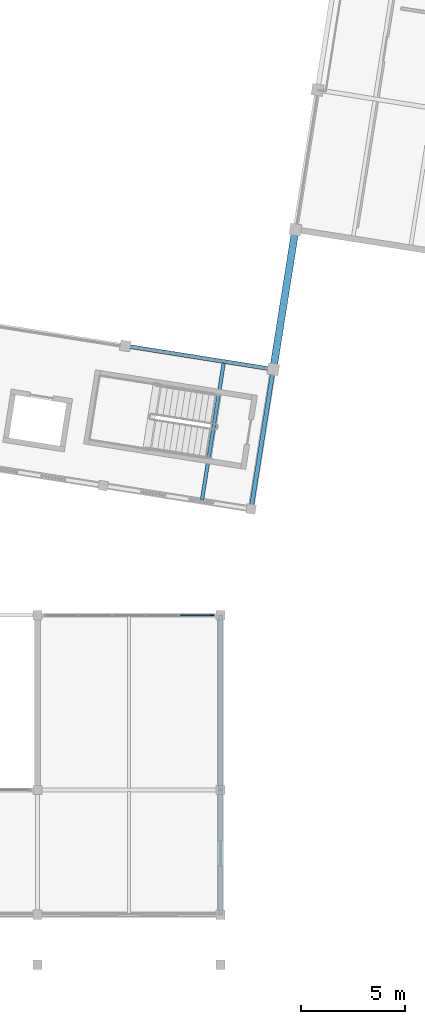
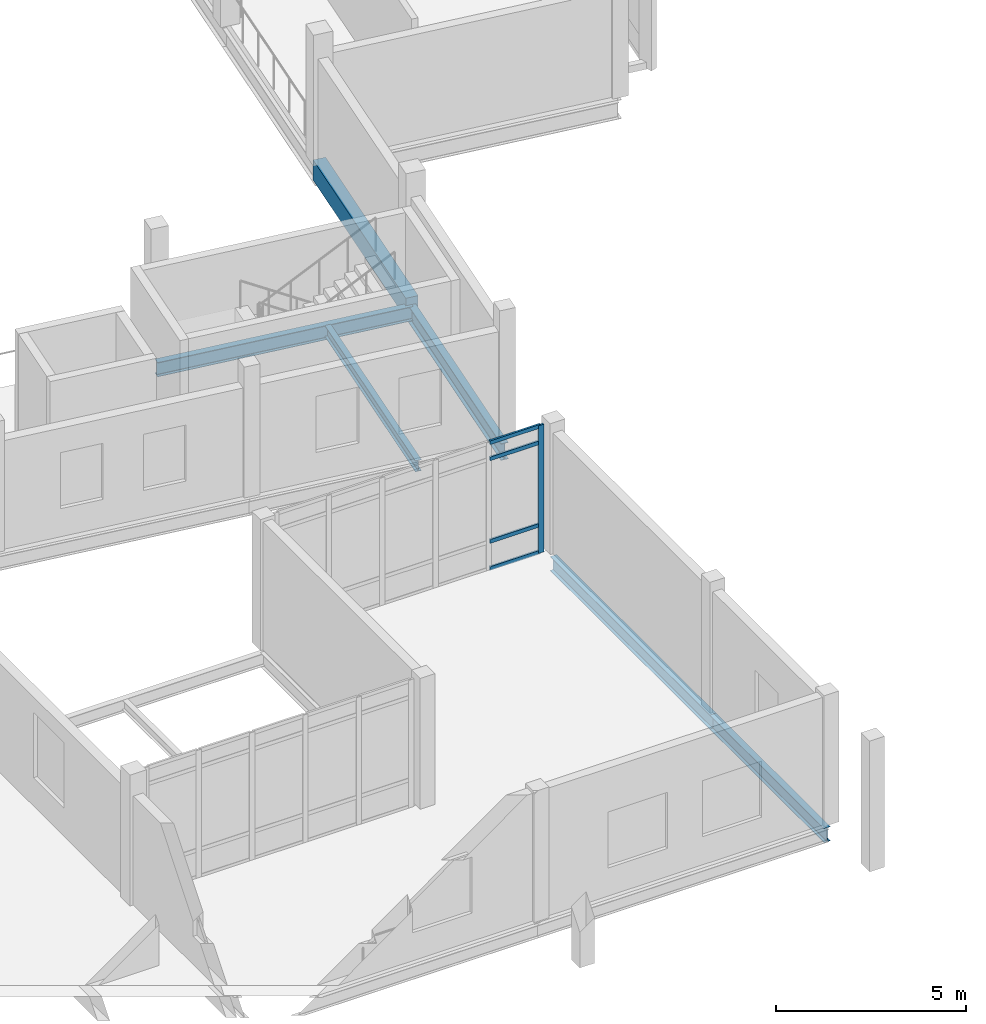
# One storey, part 78 of 137: 6 beams, 5 members, 1 element without a shape of its own.
"""IFC4 building model written with IfcOpenShell, lengths in metres."""

from ifc_helpers import new_model, si_unit, direction, frame, origin, origin_2d, place, context, subcontext, project, spatial, rectangle, i_section, extrude, material, material_profile, profile_set, type_object, element, aggregate, save


model = new_model("IFC4")

# Units and contexts
model_context = context("Model", 3, precision=1e-05, world=origin(), true_north=direction((0.0, 1.0)))
body_context = subcontext(model_context, "Body", "Model", "MODEL_VIEW")
ifc_project = project(units=[si_unit("LENGTHUNIT", "METRE"), si_unit("AREAUNIT", "SQUARE_METRE"), si_unit("VOLUMEUNIT", "CUBIC_METRE"), si_unit("PLANEANGLEUNIT", "RADIAN"), si_unit("MASSUNIT", "GRAM", prefix="KILO")], contexts=[model_context])

# Site, building, storey
site_placement = place(None, origin())
site = spatial("IfcSite", under=ifc_project, at=site_placement, CompositionType="ELEMENT")
building_placement = place(site_placement, origin())
building = spatial("IfcBuilding", under=site, at=building_placement, Name="Cinderway Yard Community Centre", CompositionType="ELEMENT")
storey_placement = place(building_placement, frame((0.0, 0.0, 4.800048828125)))
storey = spatial("IfcBuildingStorey", under=building, at=storey_placement, Name="L01", CompositionType="ELEMENT", Elevation=4.800048828125)

# Curtain wall, members
ifc_material_1 = material(Name="Aluminium 6063-T6", Category="aluminium")
curtain_wall_type = type_object("IfcCurtainWallType", Name="ENV-CW-TYPE-37", PredefinedType="USERDEFINED", material=ifc_material_1)
curtain_wall_placement = place(storey_placement, origin())
curtain_wall = element("IfcCurtainWall", 1, at=curtain_wall_placement, inside=storey, type_object=curtain_wall_type, Name="East Arcade Kiosk Curtain Wall ENV-CW-L01-ST-0202", ObjectType="GLAZED CURTAIN WALL", PredefinedType="USERDEFINED")
ifc_material_profile_1 = material_profile(ifc_material_1, rectangle(XDim=0.06005859375, YDim=0.159912109375, at=origin_2d()), Name="Aluminium 6063-T6")
ifc_profile_set_1 = profile_set([ifc_material_profile_1], Name="Aluminium 6063-T6")
member_type_1 = type_object("IfcMemberType", Name="ENV-CW-MULL-150", PredefinedType="MULLION", material=ifc_profile_set_1)
member_1_placement = place(storey_placement, frame((136.419921875, 22.800048828125, 0.0), z_axis=(0.0, 0.0, 1.0), x_axis=(0.0, 1.0, 0.0)))
member_1 = element("IfcMember", 2, at=member_1_placement, type_object=member_type_1, Name="CW-37 mullion 6", PredefinedType="MULLION", context=body_context, shape_type="SweptSolid", body=[
    extrude(rectangle(XDim=0.06005859375, YDim=0.159912109375, at=origin_2d()), origin(), (0.0, 0.0, 1.0), 4.099853515625),
])
ifc_material_profile_2 = material_profile(ifc_material_1, rectangle(XDim=0.06005859375, YDim=0.1201171875, at=origin_2d()), Name="Aluminium 6063-T6")
ifc_profile_set_2 = profile_set([ifc_material_profile_2], Name="Aluminium 6063-T6")
member_type_2 = type_object("IfcMemberType", Name="ENV-CW-TRAN-110", PredefinedType="USERDEFINED", material=ifc_profile_set_2)
member_2_placement = place(storey_placement, frame((134.860107421875, 22.800048828125, 0.030029296875), z_axis=(1.0, 0.0, 0.0), x_axis=(0.0, 1.0, 0.0)))
member_2 = element("IfcMember", 3, at=member_2_placement, type_object=member_type_2, Name="CW-37 transom 5.1", ObjectType="TRANSOM", PredefinedType="USERDEFINED", context=body_context, shape_type="SweptSolid", body=[
    extrude(rectangle(XDim=0.06005859375, YDim=0.1201171875, at=origin_2d()), origin(), (0.0, 0.0, 1.0), 1.52978515625),
])
member_3_placement = place(storey_placement, frame((134.860107421875, 22.800048828125, 0.89990234375), z_axis=(1.0, 0.0, 0.0), x_axis=(0.0, 1.0, 0.0)))
member_3 = element("IfcMember", 4, at=member_3_placement, type_object=member_type_2, Name="CW-37 transom 5.2", ObjectType="TRANSOM", PredefinedType="USERDEFINED", context=body_context, shape_type="SweptSolid", body=[
    extrude(rectangle(XDim=0.06005859375, YDim=0.1201171875, at=origin_2d()), origin(), (0.0, 0.0, 1.0), 1.52978515625),
])
member_4_placement = place(storey_placement, frame((134.860107421875, 22.800048828125, 3.550048828125), z_axis=(1.0, 0.0, 0.0), x_axis=(0.0, 1.0, 0.0)))
member_4 = element("IfcMember", 5, at=member_4_placement, type_object=member_type_2, Name="CW-37 transom 5.3", ObjectType="TRANSOM", PredefinedType="USERDEFINED", context=body_context, shape_type="SweptSolid", body=[
    extrude(rectangle(XDim=0.06005859375, YDim=0.1201171875, at=origin_2d()), origin(), (0.0, 0.0, 1.0), 1.52978515625),
])
member_5_placement = place(storey_placement, frame((134.860107421875, 22.800048828125, 4.070068359375), z_axis=(1.0, 0.0, 0.0), x_axis=(0.0, 1.0, 0.0)))
member_5 = element("IfcMember", 6, at=member_5_placement, type_object=member_type_2, Name="CW-37 transom 5.4", ObjectType="TRANSOM", PredefinedType="USERDEFINED", context=body_context, shape_type="SweptSolid", body=[
    extrude(rectangle(XDim=0.06005859375, YDim=0.1201171875, at=origin_2d()), origin(), (0.0, 0.0, 1.0), 1.52978515625),
])
aggregate(curtain_wall, [member_1, member_2, member_3, member_4, member_5])

# Beams
ifc_material_2 = material(Name="Concrete C35/45", Category="concrete")
ifc_material_profile_3 = material_profile(ifc_material_2, rectangle(XDim=0.35009765625, YDim=0.64990234375, at=origin_2d()), Name="Concrete C35/45")
ifc_profile_set_3 = profile_set([ifc_material_profile_3], Name="Concrete C35/45")
beam_type_1 = type_object("IfcBeamType", Name="STR-BM-RC350X650", PredefinedType="BEAM", material=ifc_profile_set_3)
beam_1_placement = place(storey_placement, frame((139.333984375, 34.62109375, -0.324951171875), z_axis=(0.156475124325, 0.987681899939, 0.0), x_axis=(-0.987681899939, 0.156475124325, 0.0)))
element("IfcBeam", 7, at=beam_1_placement, inside=storey, type_object=beam_type_1, Name="Sports return girder STR-BM-L01-BG08-0109", PredefinedType="BEAM", context=body_context, shape_type="SweptSolid", body=[
    extrude(rectangle(XDim=0.35009765625, YDim=0.64990234375, at=origin_2d()), origin(), (0.0, 0.0, 1.0), 6.799560546875),
])
ifc_material_3 = material(Name="Steel S355", Category="steel")
ifc_material_profile_4 = material_profile(ifc_material_3, i_section(OverallWidth=0.172119140625, OverallDepth=0.35791015625, WebThickness=0.0078125, FlangeThickness=0.01318359375, FilletRadius=0.010986328125, at=origin_2d()), Name="Steel S355")
ifc_profile_set_4 = profile_set([ifc_material_profile_4], Name="Steel S355")
beam_type_2 = type_object("IfcBeamType", Name="STR-BM-W360X57", PredefinedType="JOIST", material=ifc_profile_set_4)
beam_2_placement = place(storey_placement, frame((135.912109375, 28.35693359375, -0.4189453125), z_axis=(0.156338027688, 0.987703609945, 0.0), x_axis=(-0.987703609945, 0.156338027688, 0.0)))
element("IfcBeam", 8, at=beam_2_placement, inside=storey, type_object=beam_type_2, Name="Secondary joist STR-BM-L01-SJ03-0081", PredefinedType="JOIST", context=body_context, shape_type="SweptSolid", body=[
    extrude(i_section(OverallWidth=0.172119140625, OverallDepth=0.35791015625, WebThickness=0.0078125, FlangeThickness=0.01318359375, FilletRadius=0.010986328125, at=origin_2d()), origin(), (0.0, 0.0, 1.0), 6.644775390625),
])
ifc_material_profile_5 = material_profile(ifc_material_3, i_section(OverallWidth=0.19091796875, OverallDepth=0.4599609375, WebThickness=0.010009765625, FlangeThickness=0.014404296875, FilletRadius=0.012939453125, at=origin_2d()), Name="Steel S355")
ifc_profile_set_5 = profile_set([ifc_material_profile_5], Name="Steel S355")
beam_type_3 = type_object("IfcBeamType", Name="STR-BM-W460X82", PredefinedType="JOIST", material=ifc_profile_set_5)
beam_3_placement = place(storey_placement, frame((132.222900390625, 35.7470703125, -0.469970703125), z_axis=(0.987694960149, -0.156392665095, 0.0), x_axis=(0.156392665095, 0.987694960149, 0.0)))
element("IfcBeam", 9, at=beam_3_placement, inside=storey, type_object=beam_type_3, Name="Primary girder STR-BM-L01-SJ01-0075", PredefinedType="JOIST", context=body_context, shape_type="SweptSolid", body=[
    extrude(i_section(OverallWidth=0.19091796875, OverallDepth=0.4599609375, WebThickness=0.010009765625, FlangeThickness=0.014404296875, FilletRadius=0.012939453125, at=origin_2d()), origin(), (0.0, 0.0, 1.0), 7.19970703125),
])
beam_4_placement = place(storey_placement, frame((136.800048828125, 8.39990234375, -0.469970703125), z_axis=(0.0, 1.0, 0.0), x_axis=(-1.0, 0.0, 0.0)))
element("IfcBeam", 10, at=beam_4_placement, inside=storey, type_object=beam_type_3, Name="Transverse girder STR-BM-L01-SJ01-0664", PredefinedType="JOIST", context=body_context, shape_type="SweptSolid", body=[
    extrude(i_section(OverallWidth=0.19091796875, OverallDepth=0.4599609375, WebThickness=0.010009765625, FlangeThickness=0.014404296875, FilletRadius=0.012939453125, at=origin_2d()), origin(), (0.0, 0.0, 1.0), 6.0),
])
beam_5_placement = place(storey_placement, frame((136.800048828125, 14.39990234375, -0.469970703125), z_axis=(0.0, 1.0, 0.0), x_axis=(-1.0, 0.0, 0.0)))
element("IfcBeam", 11, at=beam_5_placement, inside=storey, type_object=beam_type_3, Name="Transverse girder STR-BM-L01-SJ01-0665", PredefinedType="JOIST", context=body_context, shape_type="SweptSolid", body=[
    extrude(i_section(OverallWidth=0.19091796875, OverallDepth=0.4599609375, WebThickness=0.010009765625, FlangeThickness=0.014404296875, FilletRadius=0.012939453125, at=origin_2d()), origin(), (0.0, 0.0, 1.0), 8.400146484375),
])
ifc_material_profile_6 = material_profile(ifc_material_3, i_section(OverallWidth=0.2109375, OverallDepth=0.5390625, WebThickness=0.010986328125, FlangeThickness=0.017333984375, FilletRadius=0.013916015625, at=origin_2d()), Name="Steel S355")
ifc_profile_set_6 = profile_set([ifc_material_profile_6], Name="Steel S355")
beam_type_4 = type_object("IfcBeamType", Name="STR-BM-W530X109", PredefinedType="BEAM", material=ifc_profile_set_6)
beam_6_placement = place(storey_placement, frame((138.27001953125, 27.905029296875, -0.510009765625), z_axis=(0.156469575446, 0.987682779013, 0.0), x_axis=(-0.987682779013, 0.156469575446, 0.0)))
element("IfcBeam", 12, at=beam_6_placement, inside=storey, type_object=beam_type_4, Name="Transverse girder STR-BM-L01-SB06-0078", PredefinedType="BEAM", context=body_context, shape_type="SweptSolid", body=[
    extrude(i_section(OverallWidth=0.2109375, OverallDepth=0.5390625, WebThickness=0.010986328125, FlangeThickness=0.017333984375, FilletRadius=0.013916015625, at=origin_2d()), origin(), (0.0, 0.0, 1.0), 6.7998046875),
])

save(model, "model.ifc")
